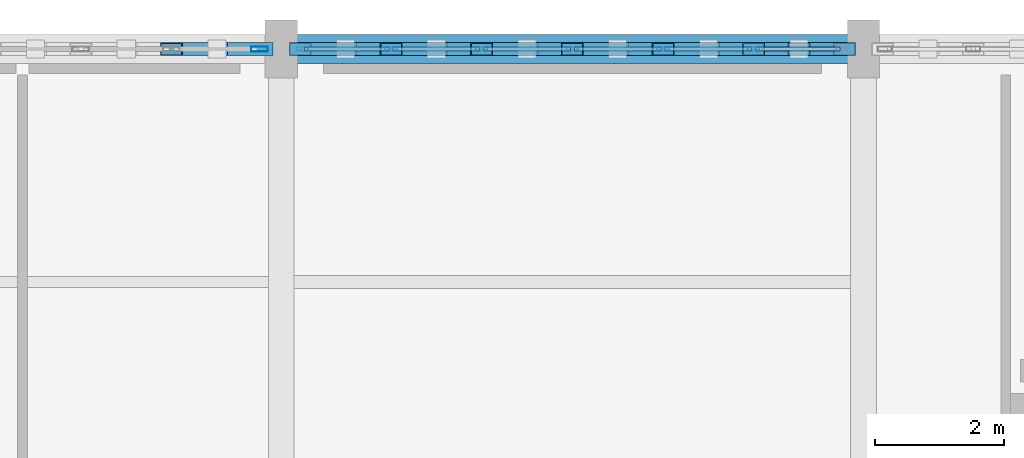
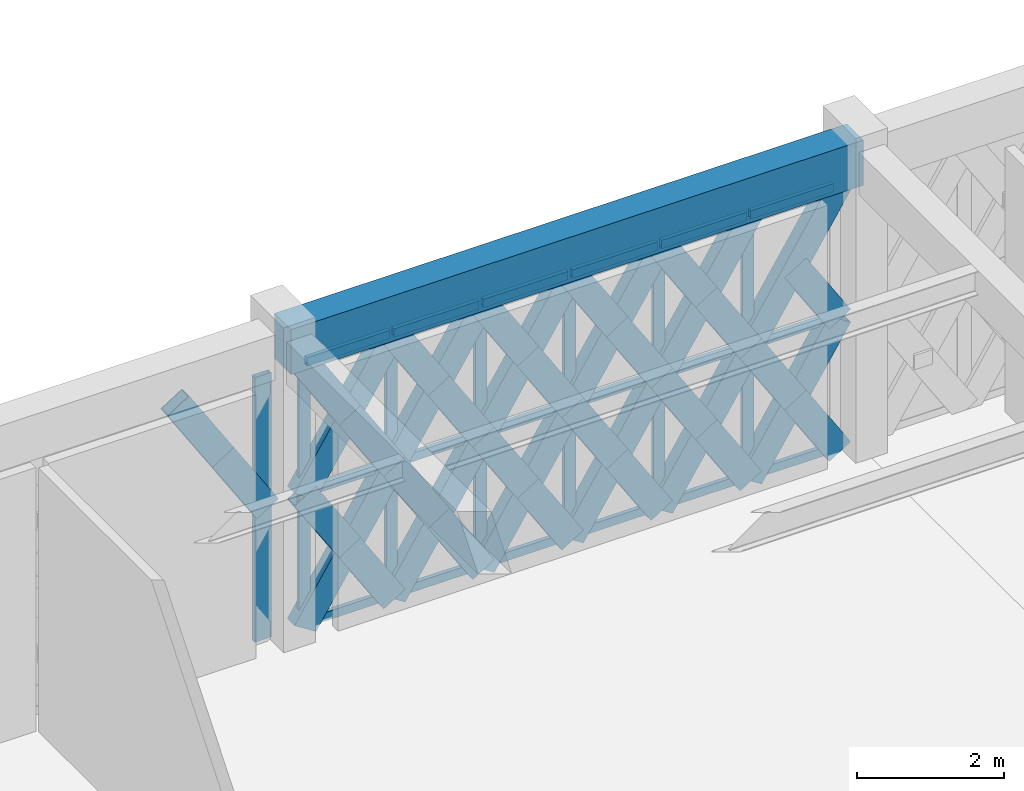
# One storey, part 45 of 86: 62 members, 1 beam, 2 elements without a shape of their own.
"""IFC4 building model written with IfcOpenShell, lengths in metres."""

from ifc_helpers import new_model, si_unit, direction, frame, origin, origin_2d, place, context, subcontext, project, spatial, rectangle, hollow_rectangle, extrude, material, material_profile, profile_set, type_object, element, aggregate, save


model = new_model("IFC4")

# Units and contexts
model_context = context("Model", 3, precision=1e-05, world=origin(), true_north=direction((0.0, 1.0)))
body_context = subcontext(model_context, "Body", "Model", "MODEL_VIEW")
ifc_project = project(units=[si_unit("LENGTHUNIT", "METRE"), si_unit("AREAUNIT", "SQUARE_METRE"), si_unit("VOLUMEUNIT", "CUBIC_METRE"), si_unit("PLANEANGLEUNIT", "RADIAN"), si_unit("MASSUNIT", "GRAM", prefix="KILO")], contexts=[model_context])

# Site, building, storey
site_placement = place(None, origin())
site = spatial("IfcSite", under=ifc_project, at=site_placement, CompositionType="ELEMENT")
building_placement = place(site_placement, origin())
building = spatial("IfcBuilding", under=site, at=building_placement, Name="Haizhuo Lancet Aquarium", CompositionType="ELEMENT")
storey_placement = place(building_placement, frame((0.0, 0.0, 16.199951171875)))
storey = spatial("IfcBuildingStorey", under=building, at=storey_placement, Name="L03", CompositionType="ELEMENT", Elevation=16.199951171875)

# Beam
ifc_material_1 = material(Name="Concrete C40/50", Category="concrete")
ifc_material_profile_1 = material_profile(ifc_material_1, rectangle(XDim=0.449951171875, YDim=0.75, at=origin_2d()), Name="RC-BM 450x750")
ifc_profile_set_1 = profile_set([ifc_material_profile_1], Name="Concrete C40/50")
beam_type = type_object("IfcBeamType", Name="BM-RC-450x750", PredefinedType="BEAM", material=ifc_profile_set_1)
beam_placement = place(storey_placement, frame((0.0, 55.800048828125, 4.775146484375), z_axis=(1.0, 0.0, 0.0), x_axis=(0.0, 1.0, 0.0)))
element("IfcBeam", 1, at=beam_placement, inside=storey, type_object=beam_type, Name="L03 V5 primary girder BM-L03-V5-016", PredefinedType="BEAM", context=body_context, shape_type="SweptSolid", body=[
    extrude(rectangle(XDim=0.449951171875, YDim=0.75, at=origin_2d()), origin(), (0.0, 0.0, 1.0), 9.0),
])

# Curtain wall, members
ifc_material_2 = material(Name="Aluminium 6063-T6", Category="aluminium")
curtain_wall_type = type_object("IfcCurtainWallType", Name="CWD-8410x4400", PredefinedType="NOTDEFINED", material=ifc_material_2)
curtain_wall_1_placement = place(storey_placement, origin())
curtain_wall_1 = element("IfcCurtainWall", 2, at=curtain_wall_1_placement, inside=storey, type_object=curtain_wall_type, Name="L03 curtain wall CW-V5-L03-163", PredefinedType="NOTDEFINED")
ifc_material_profile_2 = material_profile(ifc_material_2, hollow_rectangle(XDim=0.06494140625, YDim=0.179931640625, WallThickness=0.00390625, at=origin_2d()), Name="ALU-M 65x180x4")
ifc_profile_set_2 = profile_set([ifc_material_profile_2], Name="Aluminium 6063-T6")
member_type_1 = type_object("IfcMemberType", Name="CW-MUL-1", PredefinedType="MULLION", material=ifc_profile_set_2)
member_1_placement = place(storey_placement, frame((0.327880859375, 55.800048828125, 0.0), z_axis=(0.0, 0.0, 1.0), x_axis=(0.0, 1.0, 0.0)))
member_1 = element("IfcMember", 3, at=member_1_placement, type_object=member_type_1, Name="CWD-84x44 mullion 1", PredefinedType="MULLION", context=body_context, shape_type="SweptSolid", body=[
    extrude(hollow_rectangle(XDim=0.06494140625, YDim=0.179931640625, WallThickness=0.00390625, at=origin_2d()), origin(), (0.0, 0.0, 1.0), 4.400146484375),
])
member_2_placement = place(storey_placement, frame((1.697021484375, 55.800048828125, 0.0), z_axis=(0.0, 0.0, 1.0), x_axis=(0.0, 1.0, 0.0)))
member_2 = element("IfcMember", 4, at=member_2_placement, type_object=member_type_1, Name="CWD-84x44 mullion 2", PredefinedType="MULLION", context=body_context, shape_type="SweptSolid", body=[
    extrude(hollow_rectangle(XDim=0.06494140625, YDim=0.179931640625, WallThickness=0.00390625, at=origin_2d()), origin(), (0.0, 0.0, 1.0), 4.400146484375),
])
member_3_placement = place(storey_placement, frame((3.097900390625, 55.800048828125, 0.0), z_axis=(0.0, 0.0, 1.0), x_axis=(0.0, 1.0, 0.0)))
member_3 = element("IfcMember", 5, at=member_3_placement, type_object=member_type_1, Name="CWD-84x44 mullion 3", PredefinedType="MULLION", context=body_context, shape_type="SweptSolid", body=[
    extrude(hollow_rectangle(XDim=0.06494140625, YDim=0.179931640625, WallThickness=0.00390625, at=origin_2d()), origin(), (0.0, 0.0, 1.0), 4.400146484375),
])
member_4_placement = place(storey_placement, frame((4.5, 55.800048828125, 0.0), z_axis=(0.0, 0.0, 1.0), x_axis=(0.0, 1.0, 0.0)))
member_4 = element("IfcMember", 6, at=member_4_placement, type_object=member_type_1, Name="CWD-84x44 mullion 4", PredefinedType="MULLION", context=body_context, shape_type="SweptSolid", body=[
    extrude(hollow_rectangle(XDim=0.06494140625, YDim=0.179931640625, WallThickness=0.00390625, at=origin_2d()), origin(), (0.0, 0.0, 1.0), 4.400146484375),
])
member_5_placement = place(storey_placement, frame((5.902099609375, 55.800048828125, 0.0), z_axis=(0.0, 0.0, 1.0), x_axis=(0.0, 1.0, 0.0)))
member_5 = element("IfcMember", 7, at=member_5_placement, type_object=member_type_1, Name="CWD-84x44 mullion 5", PredefinedType="MULLION", context=body_context, shape_type="SweptSolid", body=[
    extrude(hollow_rectangle(XDim=0.06494140625, YDim=0.179931640625, WallThickness=0.00390625, at=origin_2d()), origin(), (0.0, 0.0, 1.0), 4.400146484375),
])
member_6_placement = place(storey_placement, frame((7.302978515625, 55.800048828125, 0.0), z_axis=(0.0, 0.0, 1.0), x_axis=(0.0, 1.0, 0.0)))
member_6 = element("IfcMember", 8, at=member_6_placement, type_object=member_type_1, Name="CWD-84x44 mullion 6", PredefinedType="MULLION", context=body_context, shape_type="SweptSolid", body=[
    extrude(hollow_rectangle(XDim=0.06494140625, YDim=0.179931640625, WallThickness=0.00390625, at=origin_2d()), origin(), (0.0, 0.0, 1.0), 4.400146484375),
])

# Curtain wall, member
curtain_wall_2_placement = place(storey_placement, origin())
curtain_wall_2 = element("IfcCurtainWall", 9, at=curtain_wall_2_placement, inside=storey, type_object=curtain_wall_type, Name="L03 curtain wall CW-V5-L03-162", PredefinedType="NOTDEFINED")
ifc_material_profile_3 = material_profile(ifc_material_2, hollow_rectangle(XDim=0.080078125, YDim=0.260009765625, WallThickness=0.0048828125, at=origin_2d()), Name="ALU-M 80x260x5")
ifc_profile_set_3 = profile_set([ifc_material_profile_3], Name="Aluminium 6063-T6")
member_type_2 = type_object("IfcMemberType", Name="CW-MUL-3", PredefinedType="MULLION", material=ifc_profile_set_3)
member_7_placement = place(storey_placement, frame((-0.3349609375, 55.800048828125, 0.0), z_axis=(0.0, 0.0, 1.0), x_axis=(0.0, 1.0, 0.0)))
member_7 = element("IfcMember", 10, at=member_7_placement, type_object=member_type_2, Name="CWD-84x44 mullion 7", PredefinedType="MULLION", context=body_context, shape_type="SweptSolid", body=[
    extrude(hollow_rectangle(XDim=0.080078125, YDim=0.260009765625, WallThickness=0.0048828125, at=origin_2d()), origin(), (0.0, 0.0, 1.0), 4.400146484375),
])
aggregate(curtain_wall_2, [member_7])

# Member
ifc_material_profile_4 = material_profile(ifc_material_2, hollow_rectangle(XDim=0.06494140625, YDim=0.139892578125, WallThickness=0.00390625, at=origin_2d()), Name="ALU-T 65x140x4")
ifc_profile_set_4 = profile_set([ifc_material_profile_4], Name="Aluminium 6063-T6")
member_type_3 = type_object("IfcMemberType", Name="CW-TRN-1", PredefinedType="NOTDEFINED", material=ifc_profile_set_4)
member_8_placement = place(storey_placement, frame((0.360107421875, 55.800048828125, 0.031982421875), z_axis=(1.0, 0.0, 0.0), x_axis=(0.0, 1.0, 0.0)))
member_8 = element("IfcMember", 11, at=member_8_placement, type_object=member_type_3, Name="CWD-84x44 transom 1.1", ObjectType="TRANSOM", PredefinedType="USERDEFINED", context=body_context, shape_type="SweptSolid", body=[
    extrude(hollow_rectangle(XDim=0.06494140625, YDim=0.139892578125, WallThickness=0.00390625, at=origin_2d()), origin(), (0.0, 0.0, 1.0), 1.303955078125),
])

member_9_placement = place(storey_placement, frame((0.360107421875, 55.800048828125, 2.199951171875), z_axis=(1.0, 0.0, 0.0), x_axis=(0.0, 1.0, 0.0)))
member_9 = element("IfcMember", 12, at=member_9_placement, type_object=member_type_3, Name="CWD-84x44 transom 1.2", ObjectType="TRANSOM", PredefinedType="USERDEFINED", context=body_context, shape_type="SweptSolid", body=[
    extrude(hollow_rectangle(XDim=0.06494140625, YDim=0.139892578125, WallThickness=0.00390625, at=origin_2d()), origin(), (0.0, 0.0, 1.0), 1.303955078125),
])

member_10_placement = place(storey_placement, frame((0.360107421875, 55.800048828125, 4.3681640625), z_axis=(1.0, 0.0, 0.0), x_axis=(0.0, 1.0, 0.0)))
member_10 = element("IfcMember", 13, at=member_10_placement, type_object=member_type_3, Name="CWD-84x44 transom 1.3", ObjectType="TRANSOM", PredefinedType="USERDEFINED", context=body_context, shape_type="SweptSolid", body=[
    extrude(hollow_rectangle(XDim=0.06494140625, YDim=0.139892578125, WallThickness=0.00390625, at=origin_2d()), origin(), (0.0, 0.0, 1.0), 1.303955078125),
])

member_11_placement = place(storey_placement, frame((1.72900390625, 55.800048828125, 0.031982421875), z_axis=(1.0, 0.0, 0.0), x_axis=(0.0, 1.0, 0.0)))
member_11 = element("IfcMember", 14, at=member_11_placement, type_object=member_type_3, Name="CWD-84x44 transom 2.1", ObjectType="TRANSOM", PredefinedType="USERDEFINED", context=body_context, shape_type="SweptSolid", body=[
    extrude(hollow_rectangle(XDim=0.06494140625, YDim=0.139892578125, WallThickness=0.00390625, at=origin_2d()), origin(), (0.0, 0.0, 1.0), 1.3369140625),
])

member_12_placement = place(storey_placement, frame((1.72900390625, 55.800048828125, 2.199951171875), z_axis=(1.0, 0.0, 0.0), x_axis=(0.0, 1.0, 0.0)))
member_12 = element("IfcMember", 15, at=member_12_placement, type_object=member_type_3, Name="CWD-84x44 transom 2.2", ObjectType="TRANSOM", PredefinedType="USERDEFINED", context=body_context, shape_type="SweptSolid", body=[
    extrude(hollow_rectangle(XDim=0.06494140625, YDim=0.139892578125, WallThickness=0.00390625, at=origin_2d()), origin(), (0.0, 0.0, 1.0), 1.3369140625),
])

member_13_placement = place(storey_placement, frame((1.72900390625, 55.800048828125, 4.3681640625), z_axis=(1.0, 0.0, 0.0), x_axis=(0.0, 1.0, 0.0)))
member_13 = element("IfcMember", 16, at=member_13_placement, type_object=member_type_3, Name="CWD-84x44 transom 2.3", ObjectType="TRANSOM", PredefinedType="USERDEFINED", context=body_context, shape_type="SweptSolid", body=[
    extrude(hollow_rectangle(XDim=0.06494140625, YDim=0.139892578125, WallThickness=0.00390625, at=origin_2d()), origin(), (0.0, 0.0, 1.0), 1.3369140625),
])

member_14_placement = place(storey_placement, frame((3.131103515625, 55.800048828125, 0.031982421875), z_axis=(1.0, 0.0, 0.0), x_axis=(0.0, 1.0, 0.0)))
member_14 = element("IfcMember", 17, at=member_14_placement, type_object=member_type_3, Name="CWD-84x44 transom 3.1", ObjectType="TRANSOM", PredefinedType="USERDEFINED", context=body_context, shape_type="SweptSolid", body=[
    extrude(hollow_rectangle(XDim=0.06494140625, YDim=0.139892578125, WallThickness=0.00390625, at=origin_2d()), origin(), (0.0, 0.0, 1.0), 1.3369140625),
])

member_15_placement = place(storey_placement, frame((3.131103515625, 55.800048828125, 2.199951171875), z_axis=(1.0, 0.0, 0.0), x_axis=(0.0, 1.0, 0.0)))
member_15 = element("IfcMember", 18, at=member_15_placement, type_object=member_type_3, Name="CWD-84x44 transom 3.2", ObjectType="TRANSOM", PredefinedType="USERDEFINED", context=body_context, shape_type="SweptSolid", body=[
    extrude(hollow_rectangle(XDim=0.06494140625, YDim=0.139892578125, WallThickness=0.00390625, at=origin_2d()), origin(), (0.0, 0.0, 1.0), 1.3369140625),
])

member_16_placement = place(storey_placement, frame((3.131103515625, 55.800048828125, 4.3681640625), z_axis=(1.0, 0.0, 0.0), x_axis=(0.0, 1.0, 0.0)))
member_16 = element("IfcMember", 19, at=member_16_placement, type_object=member_type_3, Name="CWD-84x44 transom 3.3", ObjectType="TRANSOM", PredefinedType="USERDEFINED", context=body_context, shape_type="SweptSolid", body=[
    extrude(hollow_rectangle(XDim=0.06494140625, YDim=0.139892578125, WallThickness=0.00390625, at=origin_2d()), origin(), (0.0, 0.0, 1.0), 1.3369140625),
])

member_17_placement = place(storey_placement, frame((4.531982421875, 55.800048828125, 0.031982421875), z_axis=(1.0, 0.0, 0.0), x_axis=(0.0, 1.0, 0.0)))
member_17 = element("IfcMember", 20, at=member_17_placement, type_object=member_type_3, Name="CWD-84x44 transom 4.1", ObjectType="TRANSOM", PredefinedType="USERDEFINED", context=body_context, shape_type="SweptSolid", body=[
    extrude(hollow_rectangle(XDim=0.06494140625, YDim=0.139892578125, WallThickness=0.00390625, at=origin_2d()), origin(), (0.0, 0.0, 1.0), 1.3369140625),
])

member_18_placement = place(storey_placement, frame((4.531982421875, 55.800048828125, 2.199951171875), z_axis=(1.0, 0.0, 0.0), x_axis=(0.0, 1.0, 0.0)))
member_18 = element("IfcMember", 21, at=member_18_placement, type_object=member_type_3, Name="CWD-84x44 transom 4.2", ObjectType="TRANSOM", PredefinedType="USERDEFINED", context=body_context, shape_type="SweptSolid", body=[
    extrude(hollow_rectangle(XDim=0.06494140625, YDim=0.139892578125, WallThickness=0.00390625, at=origin_2d()), origin(), (0.0, 0.0, 1.0), 1.3369140625),
])

member_19_placement = place(storey_placement, frame((4.531982421875, 55.800048828125, 4.3681640625), z_axis=(1.0, 0.0, 0.0), x_axis=(0.0, 1.0, 0.0)))
member_19 = element("IfcMember", 22, at=member_19_placement, type_object=member_type_3, Name="CWD-84x44 transom 4.3", ObjectType="TRANSOM", PredefinedType="USERDEFINED", context=body_context, shape_type="SweptSolid", body=[
    extrude(hollow_rectangle(XDim=0.06494140625, YDim=0.139892578125, WallThickness=0.00390625, at=origin_2d()), origin(), (0.0, 0.0, 1.0), 1.3369140625),
])

member_20_placement = place(storey_placement, frame((5.93408203125, 55.800048828125, 0.031982421875), z_axis=(1.0, 0.0, 0.0), x_axis=(0.0, 1.0, 0.0)))
member_20 = element("IfcMember", 23, at=member_20_placement, type_object=member_type_3, Name="CWD-84x44 transom 5.1", ObjectType="TRANSOM", PredefinedType="USERDEFINED", context=body_context, shape_type="SweptSolid", body=[
    extrude(hollow_rectangle(XDim=0.06494140625, YDim=0.139892578125, WallThickness=0.00390625, at=origin_2d()), origin(), (0.0, 0.0, 1.0), 1.3369140625),
])

member_21_placement = place(storey_placement, frame((5.93408203125, 55.800048828125, 2.199951171875), z_axis=(1.0, 0.0, 0.0), x_axis=(0.0, 1.0, 0.0)))
member_21 = element("IfcMember", 24, at=member_21_placement, type_object=member_type_3, Name="CWD-84x44 transom 5.2", ObjectType="TRANSOM", PredefinedType="USERDEFINED", context=body_context, shape_type="SweptSolid", body=[
    extrude(hollow_rectangle(XDim=0.06494140625, YDim=0.139892578125, WallThickness=0.00390625, at=origin_2d()), origin(), (0.0, 0.0, 1.0), 1.3369140625),
])

member_22_placement = place(storey_placement, frame((5.93408203125, 55.800048828125, 4.3681640625), z_axis=(1.0, 0.0, 0.0), x_axis=(0.0, 1.0, 0.0)))
member_22 = element("IfcMember", 25, at=member_22_placement, type_object=member_type_3, Name="CWD-84x44 transom 5.3", ObjectType="TRANSOM", PredefinedType="USERDEFINED", context=body_context, shape_type="SweptSolid", body=[
    extrude(hollow_rectangle(XDim=0.06494140625, YDim=0.139892578125, WallThickness=0.00390625, at=origin_2d()), origin(), (0.0, 0.0, 1.0), 1.3369140625),
])

member_23_placement = place(storey_placement, frame((7.3359375, 55.800048828125, 0.031982421875), z_axis=(1.0, 0.0, 0.0), x_axis=(0.0, 1.0, 0.0)))
member_23 = element("IfcMember", 26, at=member_23_placement, type_object=member_type_3, Name="CWD-84x44 transom 6.1", ObjectType="TRANSOM", PredefinedType="USERDEFINED", context=body_context, shape_type="SweptSolid", body=[
    extrude(hollow_rectangle(XDim=0.06494140625, YDim=0.139892578125, WallThickness=0.00390625, at=origin_2d()), origin(), (0.0, 0.0, 1.0), 1.303955078125),
])

member_24_placement = place(storey_placement, frame((7.3359375, 55.800048828125, 2.199951171875), z_axis=(1.0, 0.0, 0.0), x_axis=(0.0, 1.0, 0.0)))
member_24 = element("IfcMember", 27, at=member_24_placement, type_object=member_type_3, Name="CWD-84x44 transom 6.2", ObjectType="TRANSOM", PredefinedType="USERDEFINED", context=body_context, shape_type="SweptSolid", body=[
    extrude(hollow_rectangle(XDim=0.06494140625, YDim=0.139892578125, WallThickness=0.00390625, at=origin_2d()), origin(), (0.0, 0.0, 1.0), 1.303955078125),
])

member_25_placement = place(storey_placement, frame((7.3359375, 55.800048828125, 4.3681640625), z_axis=(1.0, 0.0, 0.0), x_axis=(0.0, 1.0, 0.0)))
member_25 = element("IfcMember", 28, at=member_25_placement, type_object=member_type_3, Name="CWD-84x44 transom 6.3", ObjectType="TRANSOM", PredefinedType="USERDEFINED", context=body_context, shape_type="SweptSolid", body=[
    extrude(hollow_rectangle(XDim=0.06494140625, YDim=0.139892578125, WallThickness=0.00390625, at=origin_2d()), origin(), (0.0, 0.0, 1.0), 1.303955078125),
])

aggregate(curtain_wall_1, [member_1, member_2, member_3, member_4, member_5, member_6, member_8, member_9, member_10, member_11, member_12, member_13, member_14, member_15, member_16, member_17, member_18, member_19, member_20, member_21, member_22, member_23, member_24, member_25])

# Members
ifc_material_3 = material(Name="Steel S355", Category="steel")
ifc_material_profile_5 = material_profile(ifc_material_3, hollow_rectangle(XDim=0.199951171875, YDim=0.39990234375, WallThickness=0.011962890625, at=origin_2d()), Name="RHS 200x400x12")
ifc_profile_set_5 = profile_set([ifc_material_profile_5], Name="Steel S355")
member_type_4 = type_object("IfcMemberType", Name="MEM-LB-RHS200x400", PredefinedType="BRACE", material=ifc_profile_set_5)
for number, where, z_axis, x_axis, name in (
    (29, (-0.294921875, 55.800048828125, 2.199951171875), (-0.537480823484, 0.0, 0.843275971664), (0.0, -1.0, 0.0), "Gothic lancet split diagonal brace CW-V5-L03-162 12B1"),
    (30, (-0.99609375, 55.800048828125, 3.300048828125), (-0.537347721811, 0.0, 0.843360792226), (0.0, -1.0, 0.0), "Gothic lancet split diagonal brace CW-V5-L03-162 12B2"),
):
    element("IfcMember", number, at=place(storey_placement, frame(where, z_axis=z_axis, x_axis=x_axis)), inside=storey, type_object=member_type_4, Name=name, PredefinedType="BRACE", context=body_context, shape_type="SweptSolid", body=[
        extrude(hollow_rectangle(XDim=0.199951171875, YDim=0.39990234375, WallThickness=0.011962890625, at=origin_2d()), origin(), (0.0, 0.0, 1.0), 1.304443359375),
    ])
member_26_placement = place(storey_placement, frame((0.294921875, 55.800048828125, 0.0), z_axis=(0.537456690616, 0.0, 0.843291352803), x_axis=(0.0, 1.0, 0.0)))
element("IfcMember", 31, at=member_26_placement, inside=storey, type_object=member_type_4, Name="Gothic lancet continuous diagonal brace CW-V5-L03-163 1A", PredefinedType="BRACE", context=body_context, shape_type="SweptSolid", body=[
    extrude(hollow_rectangle(XDim=0.199951171875, YDim=0.39990234375, WallThickness=0.011962890625, at=origin_2d()), origin(), (0.0, 0.0, 1.0), 2.60888671875),
])
for number, where, z_axis, x_axis, name in (
    (32, (1.697021484375, 55.800048828125, 0.0), (-0.537347721811, 0.0, 0.843360792226), (0.0, -1.0, 0.0), "Gothic lancet split diagonal brace CW-V5-L03-163 1B1"),
    (33, (0.99609375, 55.800048828125, 1.10009765625), (-0.537565656685, 0.0, 0.843221895323), (0.0, -1.0, 0.0), "Gothic lancet split diagonal brace CW-V5-L03-163 1B2"),
):
    element("IfcMember", number, at=place(storey_placement, frame(where, z_axis=z_axis, x_axis=x_axis)), inside=storey, type_object=member_type_4, Name=name, PredefinedType="BRACE", context=body_context, shape_type="SweptSolid", body=[
        extrude(hollow_rectangle(XDim=0.199951171875, YDim=0.39990234375, WallThickness=0.011962890625, at=origin_2d()), origin(), (0.0, 0.0, 1.0), 1.304443359375),
    ])
member_27_placement = place(storey_placement, frame((0.294921875, 55.800048828125, 2.199951171875), z_axis=(0.537414277668, 0.0, 0.843318382438), x_axis=(0.0, 1.0, 0.0)))
element("IfcMember", 34, at=member_27_placement, inside=storey, type_object=member_type_4, Name="Gothic lancet continuous diagonal brace CW-V5-L03-163 2A", PredefinedType="BRACE", context=body_context, shape_type="SweptSolid", body=[
    extrude(hollow_rectangle(XDim=0.199951171875, YDim=0.39990234375, WallThickness=0.011962890625, at=origin_2d()), origin(), (0.0, 0.0, 1.0), 2.60888671875),
])
for number, where, z_axis, x_axis, name in (
    (35, (1.697021484375, 55.800048828125, 2.199951171875), (-0.537347721811, 0.0, 0.843360792226), (0.0, -1.0, 0.0), "Gothic lancet split diagonal brace CW-V5-L03-163 2B1"),
    (36, (0.99609375, 55.800048828125, 3.300048828125), (-0.537480823484, 0.0, 0.843275971664), (0.0, -1.0, 0.0), "Gothic lancet split diagonal brace CW-V5-L03-163 2B2"),
):
    element("IfcMember", number, at=place(storey_placement, frame(where, z_axis=z_axis, x_axis=x_axis)), inside=storey, type_object=member_type_4, Name=name, PredefinedType="BRACE", context=body_context, shape_type="SweptSolid", body=[
        extrude(hollow_rectangle(XDim=0.199951171875, YDim=0.39990234375, WallThickness=0.011962890625, at=origin_2d()), origin(), (0.0, 0.0, 1.0), 1.304443359375),
    ])
member_28_placement = place(storey_placement, frame((1.697021484375, 55.800048828125, 0.0), z_axis=(0.537123805961, 0.0, 0.843503418529), x_axis=(0.0, 1.0, 0.0)))
element("IfcMember", 37, at=member_28_placement, inside=storey, type_object=member_type_4, Name="Gothic lancet continuous diagonal brace CW-V5-L03-163 3A", PredefinedType="BRACE", context=body_context, shape_type="SweptSolid", body=[
    extrude(hollow_rectangle(XDim=0.199951171875, YDim=0.39990234375, WallThickness=0.011962890625, at=origin_2d()), origin(), (0.0, 0.0, 1.0), 2.608154296875),
])
member_29_placement = place(storey_placement, frame((3.097900390625, 55.800048828125, 0.0), z_axis=(-0.537347721811, 0.0, 0.843360792226), x_axis=(0.0, -1.0, 0.0)))
element("IfcMember", 38, at=member_29_placement, inside=storey, type_object=member_type_4, Name="Gothic lancet split diagonal brace CW-V5-L03-163 3B1", PredefinedType="BRACE", context=body_context, shape_type="SweptSolid", body=[
    extrude(hollow_rectangle(XDim=0.199951171875, YDim=0.39990234375, WallThickness=0.011962890625, at=origin_2d()), origin(), (0.0, 0.0, 1.0), 1.304443359375),
])
member_30_placement = place(storey_placement, frame((2.39697265625, 55.800048828125, 1.10009765625), z_axis=(-0.536899726761, 0.0, 0.843646065245), x_axis=(0.0, -1.0, 0.0)))
element("IfcMember", 39, at=member_30_placement, inside=storey, type_object=member_type_4, Name="Gothic lancet split diagonal brace CW-V5-L03-163 3B2", PredefinedType="BRACE", context=body_context, shape_type="SweptSolid", body=[
    extrude(hollow_rectangle(XDim=0.199951171875, YDim=0.39990234375, WallThickness=0.011962890625, at=origin_2d()), origin(), (0.0, 0.0, 1.0), 1.3037109375),
])
member_31_placement = place(storey_placement, frame((1.697021484375, 55.800048828125, 2.199951171875), z_axis=(0.537081397964, 0.0, 0.843530421479), x_axis=(0.0, 1.0, 0.0)))
element("IfcMember", 40, at=member_31_placement, inside=storey, type_object=member_type_4, Name="Gothic lancet continuous diagonal brace CW-V5-L03-163 4A", PredefinedType="BRACE", context=body_context, shape_type="SweptSolid", body=[
    extrude(hollow_rectangle(XDim=0.199951171875, YDim=0.39990234375, WallThickness=0.011962890625, at=origin_2d()), origin(), (0.0, 0.0, 1.0), 2.6083984375),
])
member_32_placement = place(storey_placement, frame((3.097900390625, 55.800048828125, 2.199951171875), z_axis=(-0.537347721811, 0.0, 0.843360792226), x_axis=(0.0, -1.0, 0.0)))
element("IfcMember", 41, at=member_32_placement, inside=storey, type_object=member_type_4, Name="Gothic lancet split diagonal brace CW-V5-L03-163 4B1", PredefinedType="BRACE", context=body_context, shape_type="SweptSolid", body=[
    extrude(hollow_rectangle(XDim=0.199951171875, YDim=0.39990234375, WallThickness=0.011962890625, at=origin_2d()), origin(), (0.0, 0.0, 1.0), 1.304443359375),
])
member_33_placement = place(storey_placement, frame((2.39697265625, 55.800048828125, 3.300048828125), z_axis=(-0.536814913407, 0.0, 0.843700034813), x_axis=(0.0, -1.0, 0.0)))
element("IfcMember", 42, at=member_33_placement, inside=storey, type_object=member_type_4, Name="Gothic lancet split diagonal brace CW-V5-L03-163 4B2", PredefinedType="BRACE", context=body_context, shape_type="SweptSolid", body=[
    extrude(hollow_rectangle(XDim=0.199951171875, YDim=0.39990234375, WallThickness=0.011962890625, at=origin_2d()), origin(), (0.0, 0.0, 1.0), 1.303955078125),
])
member_34_placement = place(storey_placement, frame((3.097900390625, 55.800048828125, 0.0), z_axis=(0.537456690616, 0.0, 0.843291352803), x_axis=(0.0, 1.0, 0.0)))
element("IfcMember", 43, at=member_34_placement, inside=storey, type_object=member_type_4, Name="Gothic lancet continuous diagonal brace CW-V5-L03-163 5A", PredefinedType="BRACE", context=body_context, shape_type="SweptSolid", body=[
    extrude(hollow_rectangle(XDim=0.199951171875, YDim=0.39990234375, WallThickness=0.011962890625, at=origin_2d()), origin(), (0.0, 0.0, 1.0), 2.60888671875),
])
for number, where, z_axis, x_axis, name in (
    (44, (4.5, 55.800048828125, 0.0), (-0.537347721811, 0.0, 0.843360792226), (0.0, -1.0, 0.0), "Gothic lancet split diagonal brace CW-V5-L03-163 5B1"),
    (45, (3.799072265625, 55.800048828125, 1.10009765625), (-0.537565656685, 0.0, 0.843221895323), (0.0, -1.0, 0.0), "Gothic lancet split diagonal brace CW-V5-L03-163 5B2"),
):
    element("IfcMember", number, at=place(storey_placement, frame(where, z_axis=z_axis, x_axis=x_axis)), inside=storey, type_object=member_type_4, Name=name, PredefinedType="BRACE", context=body_context, shape_type="SweptSolid", body=[
        extrude(hollow_rectangle(XDim=0.199951171875, YDim=0.39990234375, WallThickness=0.011962890625, at=origin_2d()), origin(), (0.0, 0.0, 1.0), 1.304443359375),
    ])
member_35_placement = place(storey_placement, frame((3.097900390625, 55.800048828125, 2.199951171875), z_axis=(0.537414277668, 0.0, 0.843318382438), x_axis=(0.0, 1.0, 0.0)))
element("IfcMember", 46, at=member_35_placement, inside=storey, type_object=member_type_4, Name="Gothic lancet continuous diagonal brace CW-V5-L03-163 6A", PredefinedType="BRACE", context=body_context, shape_type="SweptSolid", body=[
    extrude(hollow_rectangle(XDim=0.199951171875, YDim=0.39990234375, WallThickness=0.011962890625, at=origin_2d()), origin(), (0.0, 0.0, 1.0), 2.60888671875),
])
for number, where, z_axis, x_axis, name in (
    (47, (4.5, 55.800048828125, 2.199951171875), (-0.537347721811, 0.0, 0.843360792226), (0.0, -1.0, 0.0), "Gothic lancet split diagonal brace CW-V5-L03-163 6B1"),
    (48, (3.799072265625, 55.800048828125, 3.300048828125), (-0.537480823484, 0.0, 0.843275971664), (0.0, -1.0, 0.0), "Gothic lancet split diagonal brace CW-V5-L03-163 6B2"),
):
    element("IfcMember", number, at=place(storey_placement, frame(where, z_axis=z_axis, x_axis=x_axis)), inside=storey, type_object=member_type_4, Name=name, PredefinedType="BRACE", context=body_context, shape_type="SweptSolid", body=[
        extrude(hollow_rectangle(XDim=0.199951171875, YDim=0.39990234375, WallThickness=0.011962890625, at=origin_2d()), origin(), (0.0, 0.0, 1.0), 1.304443359375),
    ])
member_36_placement = place(storey_placement, frame((4.5, 55.800048828125, 0.0), z_axis=(0.537456690616, 0.0, 0.843291352803), x_axis=(0.0, 1.0, 0.0)))
element("IfcMember", 49, at=member_36_placement, inside=storey, type_object=member_type_4, Name="Gothic lancet continuous diagonal brace CW-V5-L03-163 7A", PredefinedType="BRACE", context=body_context, shape_type="SweptSolid", body=[
    extrude(hollow_rectangle(XDim=0.199951171875, YDim=0.39990234375, WallThickness=0.011962890625, at=origin_2d()), origin(), (0.0, 0.0, 1.0), 2.60888671875),
])
member_37_placement = place(storey_placement, frame((5.902099609375, 55.800048828125, 0.0), z_axis=(-0.537480823484, 0.0, 0.843275971664), x_axis=(0.0, -1.0, 0.0)))
element("IfcMember", 50, at=member_37_placement, inside=storey, type_object=member_type_4, Name="Gothic lancet split diagonal brace CW-V5-L03-163 7B1", PredefinedType="BRACE", context=body_context, shape_type="SweptSolid", body=[
    extrude(hollow_rectangle(XDim=0.199951171875, YDim=0.39990234375, WallThickness=0.011962890625, at=origin_2d()), origin(), (0.0, 0.0, 1.0), 1.304443359375),
])
member_38_placement = place(storey_placement, frame((5.200927734375, 55.800048828125, 1.10009765625), z_axis=(-0.537432551071, 0.0, 0.843306737225), x_axis=(0.0, -1.0, 0.0)))
element("IfcMember", 51, at=member_38_placement, inside=storey, type_object=member_type_4, Name="Gothic lancet split diagonal brace CW-V5-L03-163 7B2", PredefinedType="BRACE", context=body_context, shape_type="SweptSolid", body=[
    extrude(hollow_rectangle(XDim=0.199951171875, YDim=0.39990234375, WallThickness=0.011962890625, at=origin_2d()), origin(), (0.0, 0.0, 1.0), 1.30419921875),
])
member_39_placement = place(storey_placement, frame((4.5, 55.800048828125, 2.199951171875), z_axis=(0.537414277668, 0.0, 0.843318382438), x_axis=(0.0, 1.0, 0.0)))
element("IfcMember", 52, at=member_39_placement, inside=storey, type_object=member_type_4, Name="Gothic lancet continuous diagonal brace CW-V5-L03-163 8A", PredefinedType="BRACE", context=body_context, shape_type="SweptSolid", body=[
    extrude(hollow_rectangle(XDim=0.199951171875, YDim=0.39990234375, WallThickness=0.011962890625, at=origin_2d()), origin(), (0.0, 0.0, 1.0), 2.60888671875),
])
for number, where, z_axis, x_axis, name in (
    (53, (5.902099609375, 55.800048828125, 2.199951171875), (-0.537480823484, 0.0, 0.843275971664), (0.0, -1.0, 0.0), "Gothic lancet split diagonal brace CW-V5-L03-163 8B1"),
    (54, (5.200927734375, 55.800048828125, 3.300048828125), (-0.537347721811, 0.0, 0.843360792226), (0.0, -1.0, 0.0), "Gothic lancet split diagonal brace CW-V5-L03-163 8B2"),
):
    element("IfcMember", number, at=place(storey_placement, frame(where, z_axis=z_axis, x_axis=x_axis)), inside=storey, type_object=member_type_4, Name=name, PredefinedType="BRACE", context=body_context, shape_type="SweptSolid", body=[
        extrude(hollow_rectangle(XDim=0.199951171875, YDim=0.39990234375, WallThickness=0.011962890625, at=origin_2d()), origin(), (0.0, 0.0, 1.0), 1.304443359375),
    ])
member_40_placement = place(storey_placement, frame((5.902099609375, 55.800048828125, 0.0), z_axis=(0.537123805961, 0.0, 0.843503418529), x_axis=(0.0, 1.0, 0.0)))
element("IfcMember", 55, at=member_40_placement, inside=storey, type_object=member_type_4, Name="Gothic lancet continuous diagonal brace CW-V5-L03-163 9A", PredefinedType="BRACE", context=body_context, shape_type="SweptSolid", body=[
    extrude(hollow_rectangle(XDim=0.199951171875, YDim=0.39990234375, WallThickness=0.011962890625, at=origin_2d()), origin(), (0.0, 0.0, 1.0), 2.608154296875),
])
member_41_placement = place(storey_placement, frame((7.302978515625, 55.800048828125, 0.0), z_axis=(-0.536814913407, 0.0, 0.843700034813), x_axis=(0.0, -1.0, 0.0)))
element("IfcMember", 56, at=member_41_placement, inside=storey, type_object=member_type_4, Name="Gothic lancet split diagonal brace CW-V5-L03-163 9B1", PredefinedType="BRACE", context=body_context, shape_type="SweptSolid", body=[
    extrude(hollow_rectangle(XDim=0.199951171875, YDim=0.39990234375, WallThickness=0.011962890625, at=origin_2d()), origin(), (0.0, 0.0, 1.0), 1.303955078125),
])
member_42_placement = place(storey_placement, frame((6.60302734375, 55.800048828125, 1.10009765625), z_axis=(-0.537432551071, 0.0, 0.843306737225), x_axis=(0.0, -1.0, 0.0)))
element("IfcMember", 57, at=member_42_placement, inside=storey, type_object=member_type_4, Name="Gothic lancet split diagonal brace CW-V5-L03-163 9B2", PredefinedType="BRACE", context=body_context, shape_type="SweptSolid", body=[
    extrude(hollow_rectangle(XDim=0.199951171875, YDim=0.39990234375, WallThickness=0.011962890625, at=origin_2d()), origin(), (0.0, 0.0, 1.0), 1.30419921875),
])
member_43_placement = place(storey_placement, frame((5.902099609375, 55.800048828125, 2.199951171875), z_axis=(0.537081397964, 0.0, 0.843530421479), x_axis=(0.0, 1.0, 0.0)))
element("IfcMember", 58, at=member_43_placement, inside=storey, type_object=member_type_4, Name="Gothic lancet continuous diagonal brace CW-V5-L03-163 10A", PredefinedType="BRACE", context=body_context, shape_type="SweptSolid", body=[
    extrude(hollow_rectangle(XDim=0.199951171875, YDim=0.39990234375, WallThickness=0.011962890625, at=origin_2d()), origin(), (0.0, 0.0, 1.0), 2.6083984375),
])
member_44_placement = place(storey_placement, frame((7.302978515625, 55.800048828125, 2.199951171875), z_axis=(-0.536814913407, 0.0, 0.843700034813), x_axis=(0.0, -1.0, 0.0)))
element("IfcMember", 59, at=member_44_placement, inside=storey, type_object=member_type_4, Name="Gothic lancet split diagonal brace CW-V5-L03-163 10B1", PredefinedType="BRACE", context=body_context, shape_type="SweptSolid", body=[
    extrude(hollow_rectangle(XDim=0.199951171875, YDim=0.39990234375, WallThickness=0.011962890625, at=origin_2d()), origin(), (0.0, 0.0, 1.0), 1.303955078125),
])
member_45_placement = place(storey_placement, frame((6.60302734375, 55.800048828125, 3.300048828125), z_axis=(-0.537347721811, 0.0, 0.843360792226), x_axis=(0.0, -1.0, 0.0)))
element("IfcMember", 60, at=member_45_placement, inside=storey, type_object=member_type_4, Name="Gothic lancet split diagonal brace CW-V5-L03-163 10B2", PredefinedType="BRACE", context=body_context, shape_type="SweptSolid", body=[
    extrude(hollow_rectangle(XDim=0.199951171875, YDim=0.39990234375, WallThickness=0.011962890625, at=origin_2d()), origin(), (0.0, 0.0, 1.0), 1.304443359375),
])
member_46_placement = place(storey_placement, frame((7.302978515625, 55.800048828125, 0.0), z_axis=(0.537456690616, 0.0, 0.843291352803), x_axis=(0.0, 1.0, 0.0)))
element("IfcMember", 61, at=member_46_placement, inside=storey, type_object=member_type_4, Name="Gothic lancet continuous diagonal brace CW-V5-L03-163 11A", PredefinedType="BRACE", context=body_context, shape_type="SweptSolid", body=[
    extrude(hollow_rectangle(XDim=0.199951171875, YDim=0.39990234375, WallThickness=0.011962890625, at=origin_2d()), origin(), (0.0, 0.0, 1.0), 2.60888671875),
])
member_47_placement = place(storey_placement, frame((8.705078125, 55.800048828125, 0.0), z_axis=(-0.537480823484, 0.0, 0.843275971664), x_axis=(0.0, -1.0, 0.0)))
element("IfcMember", 62, at=member_47_placement, inside=storey, type_object=member_type_4, Name="Gothic lancet split diagonal brace CW-V5-L03-163 11B1", PredefinedType="BRACE", context=body_context, shape_type="SweptSolid", body=[
    extrude(hollow_rectangle(XDim=0.199951171875, YDim=0.39990234375, WallThickness=0.011962890625, at=origin_2d()), origin(), (0.0, 0.0, 1.0), 1.304443359375),
])
member_48_placement = place(storey_placement, frame((8.00390625, 55.800048828125, 1.10009765625), z_axis=(-0.537432551071, 0.0, 0.843306737225), x_axis=(0.0, -1.0, 0.0)))
element("IfcMember", 63, at=member_48_placement, inside=storey, type_object=member_type_4, Name="Gothic lancet split diagonal brace CW-V5-L03-163 11B2", PredefinedType="BRACE", context=body_context, shape_type="SweptSolid", body=[
    extrude(hollow_rectangle(XDim=0.199951171875, YDim=0.39990234375, WallThickness=0.011962890625, at=origin_2d()), origin(), (0.0, 0.0, 1.0), 1.30419921875),
])
member_49_placement = place(storey_placement, frame((7.302978515625, 55.800048828125, 2.199951171875), z_axis=(0.537414277668, 0.0, 0.843318382438), x_axis=(0.0, 1.0, 0.0)))
element("IfcMember", 64, at=member_49_placement, inside=storey, type_object=member_type_4, Name="Gothic lancet continuous diagonal brace CW-V5-L03-163 12A", PredefinedType="BRACE", context=body_context, shape_type="SweptSolid", body=[
    extrude(hollow_rectangle(XDim=0.199951171875, YDim=0.39990234375, WallThickness=0.011962890625, at=origin_2d()), origin(), (0.0, 0.0, 1.0), 2.60888671875),
])
member_50_placement = place(storey_placement, frame((8.705078125, 55.800048828125, 2.199951171875), z_axis=(-0.537480823484, 0.0, 0.843275971664), x_axis=(0.0, -1.0, 0.0)))
element("IfcMember", 65, at=member_50_placement, inside=storey, type_object=member_type_4, Name="Gothic lancet split diagonal brace CW-V5-L03-163 12B1", PredefinedType="BRACE", context=body_context, shape_type="SweptSolid", body=[
    extrude(hollow_rectangle(XDim=0.199951171875, YDim=0.39990234375, WallThickness=0.011962890625, at=origin_2d()), origin(), (0.0, 0.0, 1.0), 1.304443359375),
])

save(model, "model.ifc")
